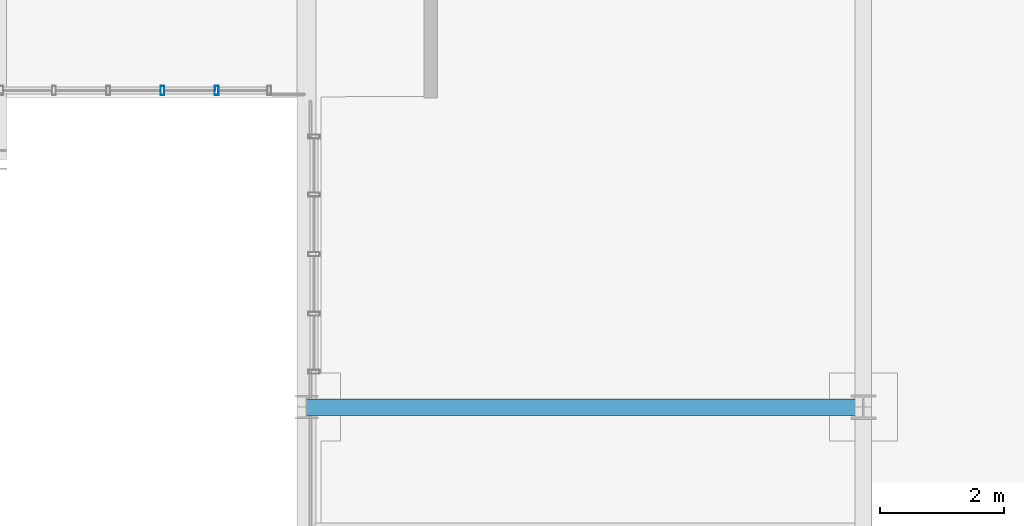
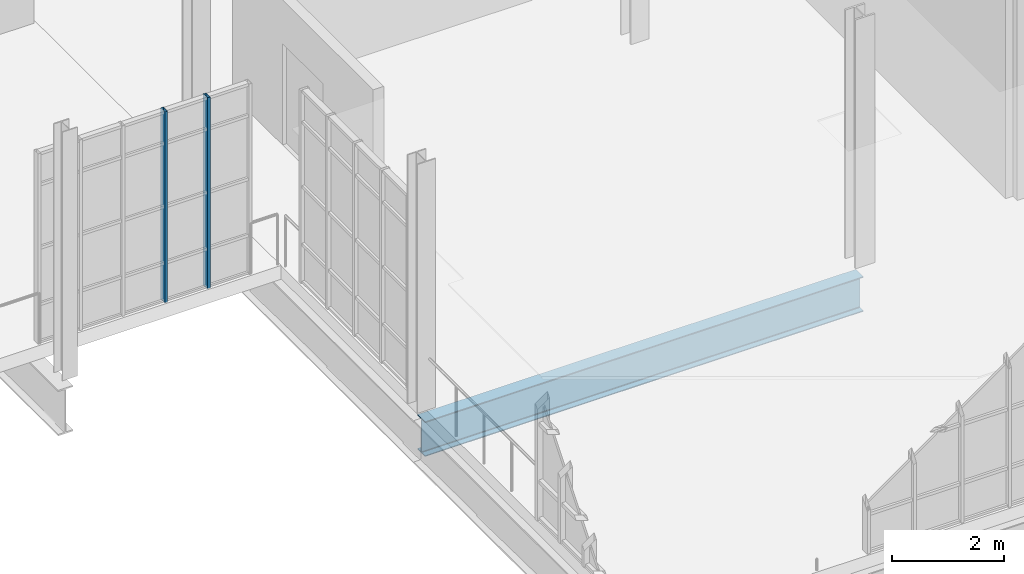
# One storey, part 32 of 142: 2 members, 1 beam, 1 element without a shape of its own.
"""IFC4 building model written with IfcOpenShell, lengths in metres."""

from ifc_helpers import new_model, si_unit, direction, frame, origin, origin_2d, place, context, subcontext, project, spatial, hollow_rectangle, i_section, extrude, material, layer, layer_set, material_profile, profile_set, type_object, element, aggregate, save


model = new_model("IFC4")

# Units and contexts
model_context = context("Model", 3, precision=1e-05, world=origin(), true_north=direction((0.0, 1.0)))
body_context = subcontext(model_context, "Body", "Model", "MODEL_VIEW")
ifc_project = project(units=[si_unit("LENGTHUNIT", "METRE"), si_unit("AREAUNIT", "SQUARE_METRE"), si_unit("VOLUMEUNIT", "CUBIC_METRE"), si_unit("PLANEANGLEUNIT", "RADIAN"), si_unit("MASSUNIT", "GRAM", prefix="KILO"), si_unit("THERMODYNAMICTEMPERATUREUNIT", "KELVIN"), si_unit("POWERUNIT", "WATT")], contexts=[model_context])

# Site, building, storey
site_placement = place(None, origin())
site = spatial("IfcSite", under=ifc_project, at=site_placement, CompositionType="ELEMENT")
building_placement = place(site_placement, origin())
building = spatial("IfcBuilding", under=site, at=building_placement, Name="Zelmaris Science Centre", CompositionType="ELEMENT")
storey_placement = place(building_placement, frame((0.0, 0.0, 5.39990234375)))
storey = spatial("IfcBuildingStorey", under=building, at=storey_placement, Name="L01", CompositionType="ELEMENT", Elevation=5.39990234375)

# Curtain wall, members
ifc_material_1 = material(Name="Anodised architectural aluminium 6063-T6", Category="aluminium")
ifc_layer = layer(ifc_material_1, 0.219970703125, Name="Anodised architectural aluminium 6063-T6")
ifc_layer_set = layer_set([ifc_layer], Name="Anodised architectural aluminium 6063-T6")
curtain_wall_type = type_object("IfcCurtainWallType", Name="Curtain Wall CW-04", PredefinedType="USERDEFINED", material=ifc_layer_set)
curtain_wall_placement = place(storey_placement, origin())
curtain_wall = element("IfcCurtainWall", 1, at=curtain_wall_placement, inside=storey, type_object=curtain_wall_type, Name="L01 Unitised curtain wall 172", ObjectType="GLAZED CURTAIN WALL", PredefinedType="USERDEFINED")
ifc_material_profile_1 = material_profile(ifc_material_1, hollow_rectangle(XDim=0.06005859375, YDim=0.14990234375, WallThickness=0.00341796875, at=origin_2d()), Name="ALU-MUL-60X150")
ifc_profile_set_1 = profile_set([ifc_material_profile_1], Name="Anodised architectural aluminium 6063-T6")
member_type = type_object("IfcMemberType", Name="ALU-MUL-60X150", PredefinedType="MULLION", material=ifc_profile_set_1)
member_1_placement = place(storey_placement, frame((106.546875, 21.115966796875, -0.014892578125), z_axis=(0.0, 0.0, 1.0), x_axis=(-0.999999948434, 0.000321140577, 0.0)))
member_1 = element("IfcMember", 2, at=member_1_placement, type_object=member_type, Name="CW-04 mullion 2", PredefinedType="MULLION", context=body_context, shape_type="SweptSolid", body=[
    extrude(hollow_rectangle(XDim=0.06005859375, YDim=0.14990234375, WallThickness=0.00341796875, at=origin_2d()), origin(), (0.0, 0.0, 1.0), 4.14794921875),
])
member_2_placement = place(storey_placement, frame((105.670654296875, 21.1162109375, -0.014892578125), z_axis=(0.0, 0.0, 1.0), x_axis=(-0.999999948434, 0.000321140577, 0.0)))
member_2 = element("IfcMember", 3, at=member_2_placement, type_object=member_type, Name="CW-04 mullion 3", PredefinedType="MULLION", context=body_context, shape_type="SweptSolid", body=[
    extrude(hollow_rectangle(XDim=0.06005859375, YDim=0.14990234375, WallThickness=0.00341796875, at=origin_2d()), origin(), (0.0, 0.0, 1.0), 4.14794921875),
])
aggregate(curtain_wall, [member_1, member_2])

# Beam
ifc_material_2 = material(Name="Steel ASTM A992 Grade 50", Category="steel")
ifc_material_profile_2 = material_profile(ifc_material_2, i_section(OverallWidth=0.26708984375, OverallDepth=0.757080078125, WebThickness=0.013916015625, FlangeThickness=0.019287109375, FilletRadius=0.01904296875, at=origin_2d()), Name="W30X108")
ifc_profile_set_2 = profile_set([ifc_material_profile_2], Name="Steel ASTM A992 Grade 50")
beam_type = type_object("IfcBeamType", Name="Beam G-10 W30X108", PredefinedType="BEAM", material=ifc_profile_set_2)
beam_placement = place(storey_placement, frame((108.0, 16.0, -0.658447265625), z_axis=(1.0, 0.0, 0.0), x_axis=(0.0, 1.0, 0.0)))
element("IfcBeam", 4, at=beam_placement, inside=storey, type_object=beam_type, Name="L01 East-west girder 346", PredefinedType="BEAM", context=body_context, shape_type="SweptSolid", body=[
    extrude(i_section(OverallWidth=0.26708984375, OverallDepth=0.757080078125, WebThickness=0.013916015625, FlangeThickness=0.019287109375, FilletRadius=0.01904296875, at=origin_2d()), origin(), (0.0, 0.0, 1.0), 9.0),
])

save(model, "model.ifc")
